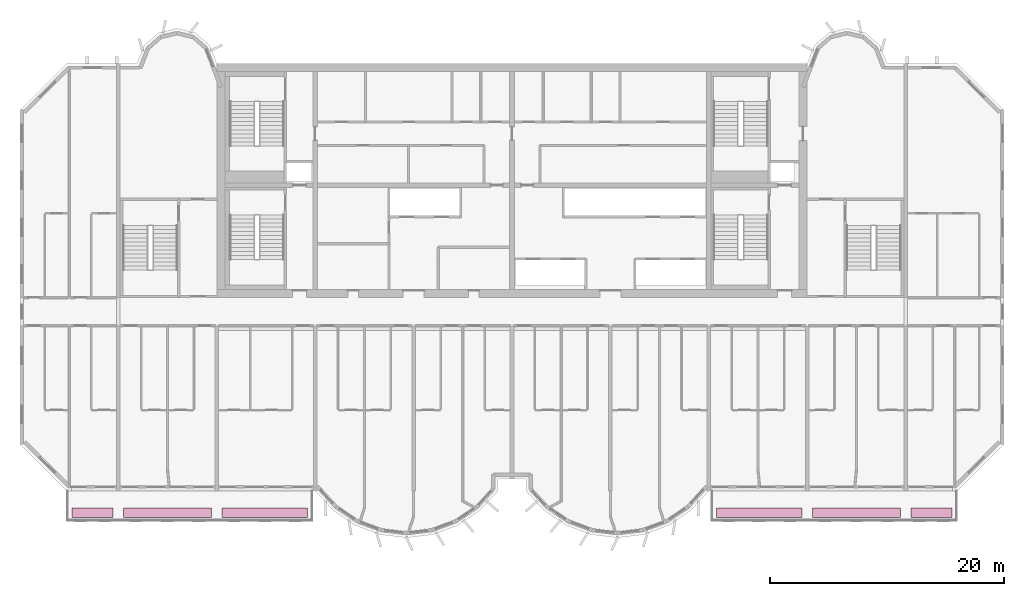
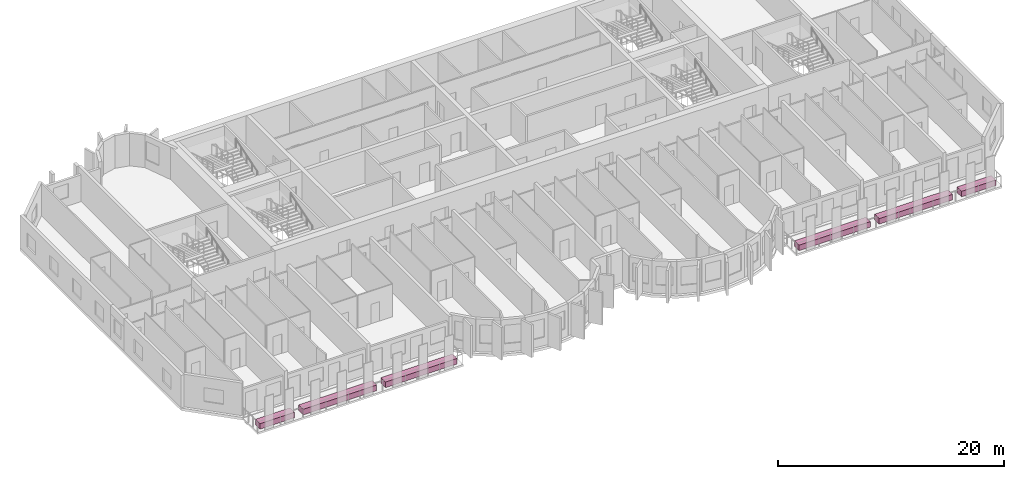
# One storey, part 13 of 13: 6 furniture elements.
"""IFC4 building model written with IfcOpenShell, lengths in metres."""

from ifc_helpers import new_model, si_unit, direction, frame, origin, origin_2d, place, context, subcontext, project, spatial, rectangle, extrude, source, transform, mapped, material, type_object, element, save


model = new_model("IFC4")

# Units and contexts
model_context = context("Model", 3, precision=1e-05, world=origin(), true_north=direction((0.0, 1.0)))
body_context = subcontext(model_context, "Body", "Model", "MODEL_VIEW")
ifc_project = project(units=[si_unit("LENGTHUNIT", "METRE"), si_unit("AREAUNIT", "SQUARE_METRE"), si_unit("VOLUMEUNIT", "CUBIC_METRE"), si_unit("PLANEANGLEUNIT", "RADIAN"), si_unit("MASSUNIT", "GRAM", prefix="KILO")], contexts=[model_context])

# Site, building, storey
site_placement = place(None, origin())
site = spatial("IfcSite", under=ifc_project, at=site_placement, CompositionType="ELEMENT")
building_placement = place(site_placement, origin())
building = spatial("IfcBuilding", under=site, at=building_placement, Name="Vanashikhar Sky Hotel", CompositionType="ELEMENT")
storey_placement = place(building_placement, frame((0.0, 0.0, 174.39990234375)))
storey = spatial("IfcBuildingStorey", under=building, at=storey_placement, Name="L42", CompositionType="ELEMENT", Elevation=174.39990234375)

# Furniture
ifc_material = material(Name="Planting soil and shrubs")
furniture_type = type_object("IfcFurnitureType", Name="Planter trough", AssemblyPlace="NOTDEFINED", PredefinedType="USERDEFINED", material=ifc_material)
shared_shape_1 = source(origin(), body_context, "Body", "SweptSolid", [
    extrude(rectangle(XDim=3.5, YDim=0.800048828125, at=origin_2d()), origin(), (0.0, 0.0, 1.0), 0.60009765625),
])
for number, where, z_axis, x_axis, name in (
    (1, (14.60009765625, 3.64990234375, -0.050048828125), (0.0, 0.0, 1.0), (1.0, 0.0, 0.0), "PLANTER with climbers"),
    (2, (86.199951171875, 3.64990234375, -0.050048828125), (0.0, 0.0, 1.0), (1.0, 0.0, 0.0), "PLANTER with climbers"),
):
    element("IfcFurniture", number, at=place(storey_placement, frame(where, z_axis=z_axis, x_axis=x_axis)), inside=storey, type_object=furniture_type, Name=name, ObjectType="PLANTER", PredefinedType="USERDEFINED", context=body_context, shape_type="MappedRepresentation", body=[
        mapped(shared_shape_1, transform((0.0, 0.0, 0.0), scale=1.0)),
    ])
shared_shape_2 = source(origin(), body_context, "Body", "SweptSolid", [
    extrude(rectangle(XDim=7.5, YDim=0.800048828125, at=origin_2d()), origin(), (0.0, 0.0, 1.0), 0.60009765625),
])
for number, where, z_axis, x_axis, name in (
    (3, (21.0, 3.64990234375, -0.050048828125), (0.0, 0.0, 1.0), (1.0, 0.0, 0.0), "PLANTER with climbers"),
    (4, (79.800048828125, 3.64990234375, -0.050048828125), (0.0, 0.0, 1.0), (1.0, 0.0, 0.0), "PLANTER with climbers"),
):
    element("IfcFurniture", number, at=place(storey_placement, frame(where, z_axis=z_axis, x_axis=x_axis)), inside=storey, type_object=furniture_type, Name=name, ObjectType="PLANTER", PredefinedType="USERDEFINED", context=body_context, shape_type="MappedRepresentation", body=[
        mapped(shared_shape_2, transform((0.0, 0.0, 0.0), scale=1.0)),
    ])
shared_shape_3 = source(origin(), body_context, "Body", "SweptSolid", [
    extrude(rectangle(XDim=7.300048828125, YDim=0.800048828125, at=origin_2d()), origin(), (0.0, 0.0, 1.0), 0.60009765625),
])
for number, where, z_axis, x_axis, name in (
    (5, (29.300048828125, 3.64990234375, -0.050048828125), (0.0, 0.0, 1.0), (1.0, 0.0, 0.0), "PLANTER with climbers"),
    (6, (71.5, 3.64990234375, -0.050048828125), (0.0, 0.0, 1.0), (1.0, 0.0, 0.0), "PLANTER with climbers"),
):
    element("IfcFurniture", number, at=place(storey_placement, frame(where, z_axis=z_axis, x_axis=x_axis)), inside=storey, type_object=furniture_type, Name=name, ObjectType="PLANTER", PredefinedType="USERDEFINED", context=body_context, shape_type="MappedRepresentation", body=[
        mapped(shared_shape_3, transform((0.0, 0.0, 0.0), scale=1.0)),
    ])

save(model, "model.ifc")
